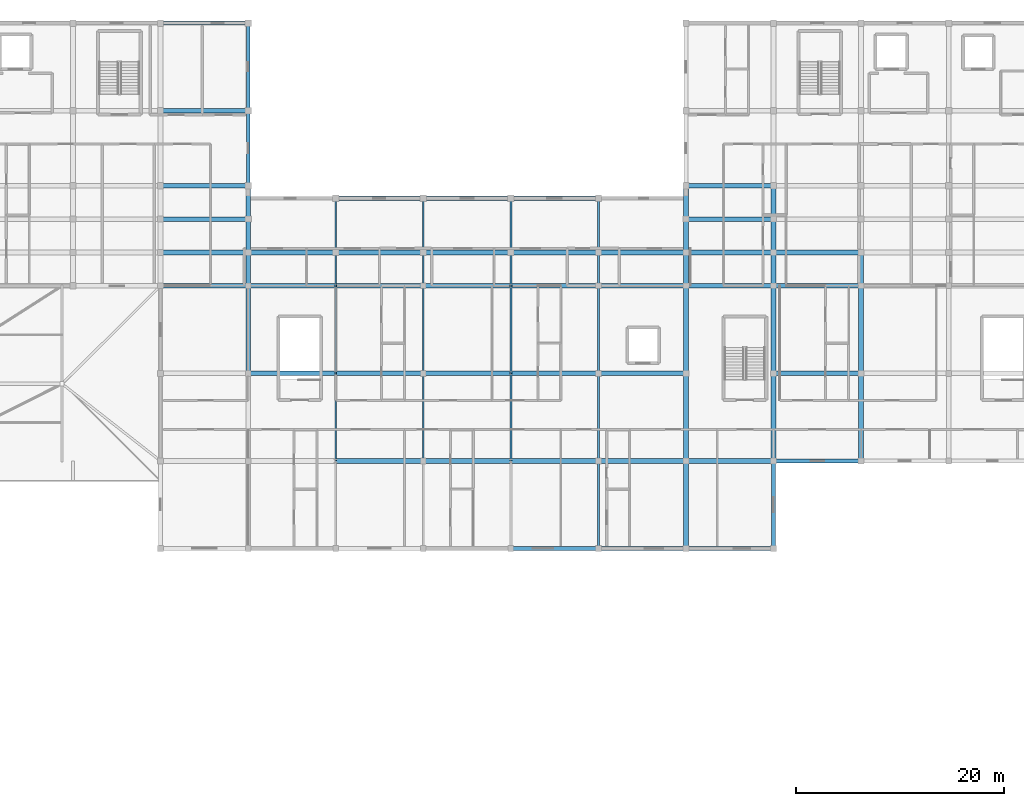
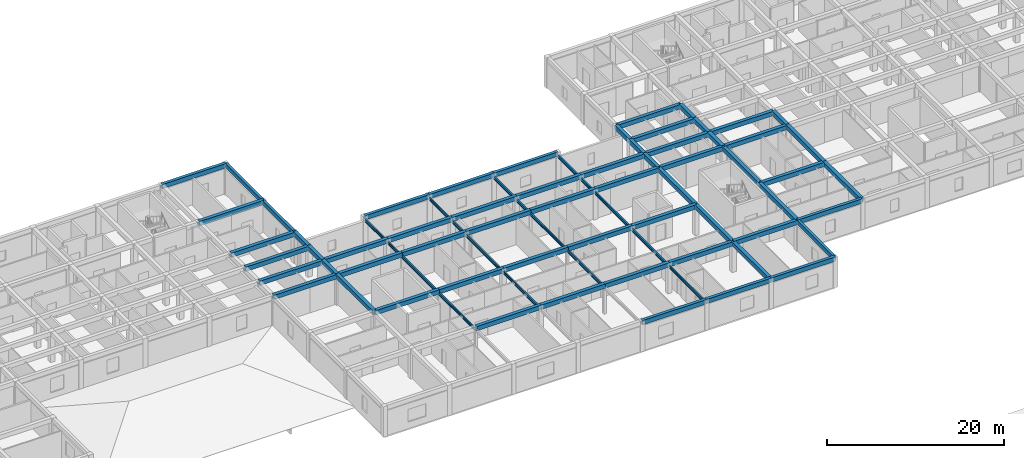
# One storey, part 8 of 42: 78 beams.
"""IFC4 building model written with IfcOpenShell, lengths in metres."""

from ifc_helpers import new_model, si_unit, direction, frame, origin, origin_2d, place, context, subcontext, project, spatial, rectangle, i_section, extrude, material, material_profile, profile_set, type_object, element, save


model = new_model("IFC4")

# Units and contexts
model_context = context("Model", 3, precision=1e-05, world=origin(), true_north=direction((0.0, 1.0)))
body_context = subcontext(model_context, "Body", "Model", "MODEL_VIEW")
ifc_project = project(units=[si_unit("LENGTHUNIT", "METRE"), si_unit("AREAUNIT", "SQUARE_METRE"), si_unit("VOLUMEUNIT", "CUBIC_METRE"), si_unit("PLANEANGLEUNIT", "RADIAN"), si_unit("MASSUNIT", "GRAM", prefix="KILO")], contexts=[model_context])

# Site, building, storey
site_placement = place(None, origin())
site = spatial("IfcSite", under=ifc_project, at=site_placement, CompositionType="ELEMENT")
building_placement = place(site_placement, origin())
building = spatial("IfcBuilding", under=site, at=building_placement, Name="Varncliffe General Hospital", CompositionType="ELEMENT")
storey_placement = place(building_placement, frame((0.0, 0.0, 20.39990234375)))
storey = spatial("IfcBuildingStorey", under=building, at=storey_placement, Name="L04", CompositionType="ELEMENT", Elevation=20.39990234375)

# Beams
ifc_material_1 = material(Name="Steel S355 (CSA G40.21 350W)", Category="steel")
ifc_material_profile_1 = material_profile(ifc_material_1, i_section(OverallWidth=0.179931640625, OverallDepth=0.4130859375, WebThickness=0.009765625, FlangeThickness=0.01611328125, FilletRadius=0.011962890625, at=origin_2d()), Name="W410x74")
ifc_profile_set_1 = profile_set([ifc_material_profile_1], Name="Steel S355 (CSA G40.21 350W)")
beam_type_1 = type_object("IfcBeamType", Name="Beam B11 (Int W410x74)", PredefinedType="BEAM", material=ifc_profile_set_1)
beam_1_placement = place(storey_placement, frame((75.60009765625, 82.800048828125, 3.633544921875), z_axis=(0.0, 1.0, 0.0), x_axis=(-1.0, 0.0, 0.0)))
element("IfcBeam", 1, at=beam_1_placement, inside=storey, type_object=beam_type_1, Name="L04 Primary Beam B11-234", PredefinedType="BEAM", context=body_context, shape_type="SweptSolid", body=[
    extrude(i_section(OverallWidth=0.179931640625, OverallDepth=0.4130859375, WebThickness=0.009765625, FlangeThickness=0.01611328125, FilletRadius=0.011962890625, at=origin_2d()), origin(), (0.0, 0.0, 1.0), 8.39990234375),
])
beam_2_placement = place(storey_placement, frame((75.60009765625, 91.199951171875, 3.633544921875), z_axis=(0.0, 1.0, 0.0), x_axis=(-1.0, 0.0, 0.0)))
element("IfcBeam", 2, at=beam_2_placement, inside=storey, type_object=beam_type_1, Name="L04 Primary Beam B11-235", PredefinedType="BEAM", context=body_context, shape_type="SweptSolid", body=[
    extrude(i_section(OverallWidth=0.179931640625, OverallDepth=0.4130859375, WebThickness=0.009765625, FlangeThickness=0.01611328125, FilletRadius=0.011962890625, at=origin_2d()), origin(), (0.0, 0.0, 1.0), 8.400146484375),
])
beam_3_placement = place(storey_placement, frame((75.60009765625, 99.60009765625, 3.633544921875), z_axis=(0.0, 1.0, 0.0), x_axis=(-1.0, 0.0, 0.0)))
element("IfcBeam", 3, at=beam_3_placement, inside=storey, type_object=beam_type_1, Name="L04 Primary Beam B11-236", PredefinedType="BEAM", context=body_context, shape_type="SweptSolid", body=[
    extrude(i_section(OverallWidth=0.179931640625, OverallDepth=0.4130859375, WebThickness=0.009765625, FlangeThickness=0.01611328125, FilletRadius=0.011962890625, at=origin_2d()), origin(), (0.0, 0.0, 1.0), 3.199951171875),
])
beam_4_placement = place(storey_placement, frame((75.60009765625, 102.800048828125, 3.633544921875), z_axis=(0.0, 1.0, 0.0), x_axis=(-1.0, 0.0, 0.0)))
element("IfcBeam", 4, at=beam_4_placement, inside=storey, type_object=beam_type_1, Name="L04 Primary Beam B11-237", PredefinedType="BEAM", context=body_context, shape_type="SweptSolid", body=[
    extrude(i_section(OverallWidth=0.179931640625, OverallDepth=0.4130859375, WebThickness=0.009765625, FlangeThickness=0.01611328125, FilletRadius=0.011962890625, at=origin_2d()), origin(), (0.0, 0.0, 1.0), 5.199951171875),
])
beam_5_placement = place(storey_placement, frame((84.0, 82.800048828125, 3.633544921875), z_axis=(0.0, 1.0, 0.0), x_axis=(-1.0, 0.0, 0.0)))
element("IfcBeam", 5, at=beam_5_placement, inside=storey, type_object=beam_type_1, Name="L04 Primary Beam B11-239", PredefinedType="BEAM", context=body_context, shape_type="SweptSolid", body=[
    extrude(i_section(OverallWidth=0.179931640625, OverallDepth=0.4130859375, WebThickness=0.009765625, FlangeThickness=0.01611328125, FilletRadius=0.011962890625, at=origin_2d()), origin(), (0.0, 0.0, 1.0), 8.39990234375),
])
beam_6_placement = place(storey_placement, frame((84.0, 91.199951171875, 3.633544921875), z_axis=(0.0, 1.0, 0.0), x_axis=(-1.0, 0.0, 0.0)))
element("IfcBeam", 6, at=beam_6_placement, inside=storey, type_object=beam_type_1, Name="L04 Primary Beam B11-240", PredefinedType="BEAM", context=body_context, shape_type="SweptSolid", body=[
    extrude(i_section(OverallWidth=0.179931640625, OverallDepth=0.4130859375, WebThickness=0.009765625, FlangeThickness=0.01611328125, FilletRadius=0.011962890625, at=origin_2d()), origin(), (0.0, 0.0, 1.0), 8.400146484375),
])
beam_7_placement = place(storey_placement, frame((84.0, 99.60009765625, 3.633544921875), z_axis=(0.0, 1.0, 0.0), x_axis=(-1.0, 0.0, 0.0)))
element("IfcBeam", 7, at=beam_7_placement, inside=storey, type_object=beam_type_1, Name="L04 Primary Beam B11-241", PredefinedType="BEAM", context=body_context, shape_type="SweptSolid", body=[
    extrude(i_section(OverallWidth=0.179931640625, OverallDepth=0.4130859375, WebThickness=0.009765625, FlangeThickness=0.01611328125, FilletRadius=0.011962890625, at=origin_2d()), origin(), (0.0, 0.0, 1.0), 3.199951171875),
])
beam_8_placement = place(storey_placement, frame((84.0, 102.800048828125, 3.633544921875), z_axis=(0.0, 1.0, 0.0), x_axis=(-1.0, 0.0, 0.0)))
element("IfcBeam", 8, at=beam_8_placement, inside=storey, type_object=beam_type_1, Name="L04 Primary Beam B11-242", PredefinedType="BEAM", context=body_context, shape_type="SweptSolid", body=[
    extrude(i_section(OverallWidth=0.179931640625, OverallDepth=0.4130859375, WebThickness=0.009765625, FlangeThickness=0.01611328125, FilletRadius=0.011962890625, at=origin_2d()), origin(), (0.0, 0.0, 1.0), 5.199951171875),
])
beam_9_placement = place(storey_placement, frame((92.39990234375, 82.800048828125, 3.633544921875), z_axis=(0.0, 1.0, 0.0), x_axis=(-1.0, 0.0, 0.0)))
element("IfcBeam", 9, at=beam_9_placement, inside=storey, type_object=beam_type_1, Name="L04 Primary Beam B11-244", PredefinedType="BEAM", context=body_context, shape_type="SweptSolid", body=[
    extrude(i_section(OverallWidth=0.179931640625, OverallDepth=0.4130859375, WebThickness=0.009765625, FlangeThickness=0.01611328125, FilletRadius=0.011962890625, at=origin_2d()), origin(), (0.0, 0.0, 1.0), 8.39990234375),
])
beam_10_placement = place(storey_placement, frame((92.39990234375, 91.199951171875, 3.633544921875), z_axis=(0.0, 1.0, 0.0), x_axis=(-1.0, 0.0, 0.0)))
element("IfcBeam", 10, at=beam_10_placement, inside=storey, type_object=beam_type_1, Name="L04 Primary Beam B11-245", PredefinedType="BEAM", context=body_context, shape_type="SweptSolid", body=[
    extrude(i_section(OverallWidth=0.179931640625, OverallDepth=0.4130859375, WebThickness=0.009765625, FlangeThickness=0.01611328125, FilletRadius=0.011962890625, at=origin_2d()), origin(), (0.0, 0.0, 1.0), 8.400146484375),
])
beam_11_placement = place(storey_placement, frame((92.39990234375, 99.60009765625, 3.633544921875), z_axis=(0.0, 1.0, 0.0), x_axis=(-1.0, 0.0, 0.0)))
element("IfcBeam", 11, at=beam_11_placement, inside=storey, type_object=beam_type_1, Name="L04 Primary Beam B11-246", PredefinedType="BEAM", context=body_context, shape_type="SweptSolid", body=[
    extrude(i_section(OverallWidth=0.179931640625, OverallDepth=0.4130859375, WebThickness=0.009765625, FlangeThickness=0.01611328125, FilletRadius=0.011962890625, at=origin_2d()), origin(), (0.0, 0.0, 1.0), 3.199951171875),
])
beam_12_placement = place(storey_placement, frame((92.39990234375, 102.800048828125, 3.633544921875), z_axis=(0.0, 1.0, 0.0), x_axis=(-1.0, 0.0, 0.0)))
element("IfcBeam", 12, at=beam_12_placement, inside=storey, type_object=beam_type_1, Name="L04 Primary Beam B11-247", PredefinedType="BEAM", context=body_context, shape_type="SweptSolid", body=[
    extrude(i_section(OverallWidth=0.179931640625, OverallDepth=0.4130859375, WebThickness=0.009765625, FlangeThickness=0.01611328125, FilletRadius=0.011962890625, at=origin_2d()), origin(), (0.0, 0.0, 1.0), 5.199951171875),
])
beam_13_placement = place(storey_placement, frame((100.800048828125, 74.39990234375, 3.633544921875), z_axis=(0.0, 1.0, 0.0), x_axis=(-1.0, 0.0, 0.0)))
element("IfcBeam", 13, at=beam_13_placement, inside=storey, type_object=beam_type_1, Name="L04 Primary Beam B11-248", PredefinedType="BEAM", context=body_context, shape_type="SweptSolid", body=[
    extrude(i_section(OverallWidth=0.179931640625, OverallDepth=0.4130859375, WebThickness=0.009765625, FlangeThickness=0.01611328125, FilletRadius=0.011962890625, at=origin_2d()), origin(), (0.0, 0.0, 1.0), 8.400146484375),
])
beam_14_placement = place(storey_placement, frame((100.800048828125, 82.800048828125, 3.633544921875), z_axis=(0.0, 1.0, 0.0), x_axis=(-1.0, 0.0, 0.0)))
element("IfcBeam", 14, at=beam_14_placement, inside=storey, type_object=beam_type_1, Name="L04 Primary Beam B11-249", PredefinedType="BEAM", context=body_context, shape_type="SweptSolid", body=[
    extrude(i_section(OverallWidth=0.179931640625, OverallDepth=0.4130859375, WebThickness=0.009765625, FlangeThickness=0.01611328125, FilletRadius=0.011962890625, at=origin_2d()), origin(), (0.0, 0.0, 1.0), 8.39990234375),
])
beam_15_placement = place(storey_placement, frame((100.800048828125, 91.199951171875, 3.633544921875), z_axis=(0.0, 1.0, 0.0), x_axis=(-1.0, 0.0, 0.0)))
element("IfcBeam", 15, at=beam_15_placement, inside=storey, type_object=beam_type_1, Name="L04 Primary Beam B11-250", PredefinedType="BEAM", context=body_context, shape_type="SweptSolid", body=[
    extrude(i_section(OverallWidth=0.179931640625, OverallDepth=0.4130859375, WebThickness=0.009765625, FlangeThickness=0.01611328125, FilletRadius=0.011962890625, at=origin_2d()), origin(), (0.0, 0.0, 1.0), 8.400146484375),
])
beam_16_placement = place(storey_placement, frame((100.800048828125, 99.60009765625, 3.633544921875), z_axis=(0.0, 1.0, 0.0), x_axis=(-1.0, 0.0, 0.0)))
element("IfcBeam", 16, at=beam_16_placement, inside=storey, type_object=beam_type_1, Name="L04 Primary Beam B11-251", PredefinedType="BEAM", context=body_context, shape_type="SweptSolid", body=[
    extrude(i_section(OverallWidth=0.179931640625, OverallDepth=0.4130859375, WebThickness=0.009765625, FlangeThickness=0.01611328125, FilletRadius=0.011962890625, at=origin_2d()), origin(), (0.0, 0.0, 1.0), 3.199951171875),
])
beam_17_placement = place(storey_placement, frame((100.800048828125, 102.800048828125, 3.633544921875), z_axis=(0.0, 1.0, 0.0), x_axis=(-1.0, 0.0, 0.0)))
element("IfcBeam", 17, at=beam_17_placement, inside=storey, type_object=beam_type_1, Name="L04 Primary Beam B11-252", PredefinedType="BEAM", context=body_context, shape_type="SweptSolid", body=[
    extrude(i_section(OverallWidth=0.179931640625, OverallDepth=0.4130859375, WebThickness=0.009765625, FlangeThickness=0.01611328125, FilletRadius=0.011962890625, at=origin_2d()), origin(), (0.0, 0.0, 1.0), 5.199951171875),
])
ifc_material_2 = material(Name="Concrete C35/45 (CSA A23.1 35 MPa)", Category="concrete")
ifc_material_profile_2 = material_profile(ifc_material_2, rectangle(XDim=0.449951171875, YDim=0.60009765625, at=origin_2d()), Name="RC 450x600")
ifc_profile_set_2 = profile_set([ifc_material_profile_2], Name="Concrete C35/45 (CSA A23.1 35 MPa)")
beam_type_2 = type_object("IfcBeamType", Name="Beam B47 (Int RC 450x600)", PredefinedType="BEAM", material=ifc_profile_set_2)
for number, where, z_axis, x_axis, name in (
    (18, (75.60009765625, 82.800048828125, 3.900146484375), (1.0, 0.0, 0.0), (0.0, 1.0, 0.0), "L04 Primary Beam B47-37"),
    (19, (84.0, 82.800048828125, 3.900146484375), (1.0, 0.0, 0.0), (0.0, 1.0, 0.0), "L04 Primary Beam B47-38"),
):
    element("IfcBeam", number, at=place(storey_placement, frame(where, z_axis=z_axis, x_axis=x_axis)), inside=storey, type_object=beam_type_2, Name=name, PredefinedType="BEAM", context=body_context, shape_type="SweptSolid", body=[
        extrude(rectangle(XDim=0.449951171875, YDim=0.60009765625, at=origin_2d()), origin(), (0.0, 0.0, 1.0), 8.39990234375),
    ])
beam_18_placement = place(storey_placement, frame((92.39990234375, 82.800048828125, 3.900146484375), z_axis=(1.0, 0.0, 0.0), x_axis=(0.0, 1.0, 0.0)))
element("IfcBeam", 20, at=beam_18_placement, inside=storey, type_object=beam_type_2, Name="L04 Primary Beam B47-39", PredefinedType="BEAM", context=body_context, shape_type="SweptSolid", body=[
    extrude(rectangle(XDim=0.449951171875, YDim=0.60009765625, at=origin_2d()), origin(), (0.0, 0.0, 1.0), 8.400146484375),
])
beam_19_placement = place(storey_placement, frame((100.800048828125, 82.800048828125, 3.900146484375), z_axis=(1.0, 0.0, 0.0), x_axis=(0.0, 1.0, 0.0)))
element("IfcBeam", 21, at=beam_19_placement, inside=storey, type_object=beam_type_2, Name="L04 Primary Beam B47-40", PredefinedType="BEAM", context=body_context, shape_type="SweptSolid", body=[
    extrude(rectangle(XDim=0.449951171875, YDim=0.60009765625, at=origin_2d()), origin(), (0.0, 0.0, 1.0), 8.39990234375),
])
for number, where, z_axis, x_axis, name in (
    (22, (109.199951171875, 82.800048828125, 3.900146484375), (1.0, 0.0, 0.0), (0.0, 1.0, 0.0), "L04 Primary Beam B47-41"),
    (23, (67.199951171875, 91.199951171875, 3.900146484375), (1.0, 0.0, 0.0), (0.0, 1.0, 0.0), "L04 Primary Beam B47-53"),
):
    element("IfcBeam", number, at=place(storey_placement, frame(where, z_axis=z_axis, x_axis=x_axis)), inside=storey, type_object=beam_type_2, Name=name, PredefinedType="BEAM", context=body_context, shape_type="SweptSolid", body=[
        extrude(rectangle(XDim=0.449951171875, YDim=0.60009765625, at=origin_2d()), origin(), (0.0, 0.0, 1.0), 8.400146484375),
    ])
for number, where, z_axis, x_axis, name in (
    (24, (75.60009765625, 91.199951171875, 3.900146484375), (1.0, 0.0, 0.0), (0.0, 1.0, 0.0), "L04 Primary Beam B47-54"),
    (25, (84.0, 91.199951171875, 3.900146484375), (1.0, 0.0, 0.0), (0.0, 1.0, 0.0), "L04 Primary Beam B47-55"),
):
    element("IfcBeam", number, at=place(storey_placement, frame(where, z_axis=z_axis, x_axis=x_axis)), inside=storey, type_object=beam_type_2, Name=name, PredefinedType="BEAM", context=body_context, shape_type="SweptSolid", body=[
        extrude(rectangle(XDim=0.449951171875, YDim=0.60009765625, at=origin_2d()), origin(), (0.0, 0.0, 1.0), 8.39990234375),
    ])
beam_20_placement = place(storey_placement, frame((92.39990234375, 91.199951171875, 3.900146484375), z_axis=(1.0, 0.0, 0.0), x_axis=(0.0, 1.0, 0.0)))
element("IfcBeam", 26, at=beam_20_placement, inside=storey, type_object=beam_type_2, Name="L04 Primary Beam B47-56", PredefinedType="BEAM", context=body_context, shape_type="SweptSolid", body=[
    extrude(rectangle(XDim=0.449951171875, YDim=0.60009765625, at=origin_2d()), origin(), (0.0, 0.0, 1.0), 8.400146484375),
])
for number, where, z_axis, x_axis, name in (
    (27, (100.800048828125, 91.199951171875, 3.900146484375), (1.0, 0.0, 0.0), (0.0, 1.0, 0.0), "L04 Primary Beam B47-57"),
    (28, (117.60009765625, 91.199951171875, 3.900146484375), (1.0, 0.0, 0.0), (0.0, 1.0, 0.0), "L04 Primary Beam B47-58"),
    (29, (58.800048828125, 99.60009765625, 3.900146484375), (1.0, 0.0, 0.0), (0.0, 1.0, 0.0), "L04 Primary Beam B47-72"),
):
    element("IfcBeam", number, at=place(storey_placement, frame(where, z_axis=z_axis, x_axis=x_axis)), inside=storey, type_object=beam_type_2, Name=name, PredefinedType="BEAM", context=body_context, shape_type="SweptSolid", body=[
        extrude(rectangle(XDim=0.449951171875, YDim=0.60009765625, at=origin_2d()), origin(), (0.0, 0.0, 1.0), 8.39990234375),
    ])
beam_21_placement = place(storey_placement, frame((67.199951171875, 99.60009765625, 3.900146484375), z_axis=(1.0, 0.0, 0.0), x_axis=(0.0, 1.0, 0.0)))
element("IfcBeam", 30, at=beam_21_placement, inside=storey, type_object=beam_type_2, Name="L04 Primary Beam B47-73", PredefinedType="BEAM", context=body_context, shape_type="SweptSolid", body=[
    extrude(rectangle(XDim=0.449951171875, YDim=0.60009765625, at=origin_2d()), origin(), (0.0, 0.0, 1.0), 8.400146484375),
])
for number, where, z_axis, x_axis, name in (
    (31, (75.60009765625, 99.60009765625, 3.900146484375), (1.0, 0.0, 0.0), (0.0, 1.0, 0.0), "L04 Primary Beam B47-74"),
    (32, (84.0, 99.60009765625, 3.900146484375), (1.0, 0.0, 0.0), (0.0, 1.0, 0.0), "L04 Primary Beam B47-75"),
):
    element("IfcBeam", number, at=place(storey_placement, frame(where, z_axis=z_axis, x_axis=x_axis)), inside=storey, type_object=beam_type_2, Name=name, PredefinedType="BEAM", context=body_context, shape_type="SweptSolid", body=[
        extrude(rectangle(XDim=0.449951171875, YDim=0.60009765625, at=origin_2d()), origin(), (0.0, 0.0, 1.0), 8.39990234375),
    ])
beam_22_placement = place(storey_placement, frame((92.39990234375, 99.60009765625, 3.900146484375), z_axis=(1.0, 0.0, 0.0), x_axis=(0.0, 1.0, 0.0)))
element("IfcBeam", 33, at=beam_22_placement, inside=storey, type_object=beam_type_2, Name="L04 Primary Beam B47-76", PredefinedType="BEAM", context=body_context, shape_type="SweptSolid", body=[
    extrude(rectangle(XDim=0.449951171875, YDim=0.60009765625, at=origin_2d()), origin(), (0.0, 0.0, 1.0), 8.400146484375),
])
beam_23_placement = place(storey_placement, frame((100.800048828125, 99.60009765625, 3.900146484375), z_axis=(1.0, 0.0, 0.0), x_axis=(0.0, 1.0, 0.0)))
element("IfcBeam", 34, at=beam_23_placement, inside=storey, type_object=beam_type_2, Name="L04 Primary Beam B47-77", PredefinedType="BEAM", context=body_context, shape_type="SweptSolid", body=[
    extrude(rectangle(XDim=0.449951171875, YDim=0.60009765625, at=origin_2d()), origin(), (0.0, 0.0, 1.0), 8.39990234375),
])
beam_24_placement = place(storey_placement, frame((109.199951171875, 99.60009765625, 3.900146484375), z_axis=(1.0, 0.0, 0.0), x_axis=(0.0, 1.0, 0.0)))
element("IfcBeam", 35, at=beam_24_placement, inside=storey, type_object=beam_type_2, Name="L04 Primary Beam B47-78", PredefinedType="BEAM", context=body_context, shape_type="SweptSolid", body=[
    extrude(rectangle(XDim=0.449951171875, YDim=0.60009765625, at=origin_2d()), origin(), (0.0, 0.0, 1.0), 8.400146484375),
])
for number, where, z_axis, x_axis, name in (
    (36, (117.60009765625, 99.60009765625, 3.900146484375), (1.0, 0.0, 0.0), (0.0, 1.0, 0.0), "L04 Primary Beam B47-79"),
    (37, (58.800048828125, 102.800048828125, 3.900146484375), (1.0, 0.0, 0.0), (0.0, 1.0, 0.0), "L04 Primary Beam B47-93"),
):
    element("IfcBeam", number, at=place(storey_placement, frame(where, z_axis=z_axis, x_axis=x_axis)), inside=storey, type_object=beam_type_2, Name=name, PredefinedType="BEAM", context=body_context, shape_type="SweptSolid", body=[
        extrude(rectangle(XDim=0.449951171875, YDim=0.60009765625, at=origin_2d()), origin(), (0.0, 0.0, 1.0), 8.39990234375),
    ])
beam_25_placement = place(storey_placement, frame((67.199951171875, 102.800048828125, 3.900146484375), z_axis=(1.0, 0.0, 0.0), x_axis=(0.0, 1.0, 0.0)))
element("IfcBeam", 38, at=beam_25_placement, inside=storey, type_object=beam_type_2, Name="L04 Primary Beam B47-94", PredefinedType="BEAM", context=body_context, shape_type="SweptSolid", body=[
    extrude(rectangle(XDim=0.449951171875, YDim=0.60009765625, at=origin_2d()), origin(), (0.0, 0.0, 1.0), 8.400146484375),
])
for number, where, z_axis, x_axis, name in (
    (39, (75.60009765625, 102.800048828125, 3.900146484375), (1.0, 0.0, 0.0), (0.0, 1.0, 0.0), "L04 Primary Beam B47-95"),
    (40, (84.0, 102.800048828125, 3.900146484375), (1.0, 0.0, 0.0), (0.0, 1.0, 0.0), "L04 Primary Beam B47-96"),
):
    element("IfcBeam", number, at=place(storey_placement, frame(where, z_axis=z_axis, x_axis=x_axis)), inside=storey, type_object=beam_type_2, Name=name, PredefinedType="BEAM", context=body_context, shape_type="SweptSolid", body=[
        extrude(rectangle(XDim=0.449951171875, YDim=0.60009765625, at=origin_2d()), origin(), (0.0, 0.0, 1.0), 8.39990234375),
    ])
beam_26_placement = place(storey_placement, frame((92.39990234375, 102.800048828125, 3.900146484375), z_axis=(1.0, 0.0, 0.0), x_axis=(0.0, 1.0, 0.0)))
element("IfcBeam", 41, at=beam_26_placement, inside=storey, type_object=beam_type_2, Name="L04 Primary Beam B47-97", PredefinedType="BEAM", context=body_context, shape_type="SweptSolid", body=[
    extrude(rectangle(XDim=0.449951171875, YDim=0.60009765625, at=origin_2d()), origin(), (0.0, 0.0, 1.0), 8.400146484375),
])
beam_27_placement = place(storey_placement, frame((100.800048828125, 102.800048828125, 3.900146484375), z_axis=(1.0, 0.0, 0.0), x_axis=(0.0, 1.0, 0.0)))
element("IfcBeam", 42, at=beam_27_placement, inside=storey, type_object=beam_type_2, Name="L04 Primary Beam B47-98", PredefinedType="BEAM", context=body_context, shape_type="SweptSolid", body=[
    extrude(rectangle(XDim=0.449951171875, YDim=0.60009765625, at=origin_2d()), origin(), (0.0, 0.0, 1.0), 8.39990234375),
])
beam_28_placement = place(storey_placement, frame((109.199951171875, 102.800048828125, 3.900146484375), z_axis=(1.0, 0.0, 0.0), x_axis=(0.0, 1.0, 0.0)))
element("IfcBeam", 43, at=beam_28_placement, inside=storey, type_object=beam_type_2, Name="L04 Primary Beam B47-99", PredefinedType="BEAM", context=body_context, shape_type="SweptSolid", body=[
    extrude(rectangle(XDim=0.449951171875, YDim=0.60009765625, at=origin_2d()), origin(), (0.0, 0.0, 1.0), 8.400146484375),
])
for number, where, z_axis, x_axis, name in (
    (44, (117.60009765625, 102.800048828125, 3.900146484375), (1.0, 0.0, 0.0), (0.0, 1.0, 0.0), "L04 Primary Beam B47-100"),
    (45, (58.800048828125, 106.0, 3.900146484375), (1.0, 0.0, 0.0), (0.0, 1.0, 0.0), "L04 Primary Beam B47-114"),
):
    element("IfcBeam", number, at=place(storey_placement, frame(where, z_axis=z_axis, x_axis=x_axis)), inside=storey, type_object=beam_type_2, Name=name, PredefinedType="BEAM", context=body_context, shape_type="SweptSolid", body=[
        extrude(rectangle(XDim=0.449951171875, YDim=0.60009765625, at=origin_2d()), origin(), (0.0, 0.0, 1.0), 8.39990234375),
    ])
beam_29_placement = place(storey_placement, frame((109.199951171875, 106.0, 3.900146484375), z_axis=(1.0, 0.0, 0.0), x_axis=(0.0, 1.0, 0.0)))
element("IfcBeam", 46, at=beam_29_placement, inside=storey, type_object=beam_type_2, Name="L04 Primary Beam B47-115", PredefinedType="BEAM", context=body_context, shape_type="SweptSolid", body=[
    extrude(rectangle(XDim=0.449951171875, YDim=0.60009765625, at=origin_2d()), origin(), (0.0, 0.0, 1.0), 8.400146484375),
])
beam_30_placement = place(storey_placement, frame((58.800048828125, 109.199951171875, 3.900146484375), z_axis=(1.0, 0.0, 0.0), x_axis=(0.0, 1.0, 0.0)))
element("IfcBeam", 47, at=beam_30_placement, inside=storey, type_object=beam_type_2, Name="L04 Primary Beam B47-133", PredefinedType="BEAM", context=body_context, shape_type="SweptSolid", body=[
    extrude(rectangle(XDim=0.449951171875, YDim=0.60009765625, at=origin_2d()), origin(), (0.0, 0.0, 1.0), 8.39990234375),
])
beam_31_placement = place(storey_placement, frame((109.199951171875, 109.199951171875, 3.900146484375), z_axis=(1.0, 0.0, 0.0), x_axis=(0.0, 1.0, 0.0)))
element("IfcBeam", 48, at=beam_31_placement, inside=storey, type_object=beam_type_2, Name="L04 Primary Beam B47-134", PredefinedType="BEAM", context=body_context, shape_type="SweptSolid", body=[
    extrude(rectangle(XDim=0.449951171875, YDim=0.60009765625, at=origin_2d()), origin(), (0.0, 0.0, 1.0), 8.400146484375),
])
beam_32_placement = place(storey_placement, frame((58.800048828125, 116.39990234375, 3.900146484375), z_axis=(1.0, 0.0, 0.0), x_axis=(0.0, 1.0, 0.0)))
element("IfcBeam", 49, at=beam_32_placement, inside=storey, type_object=beam_type_2, Name="L04 Primary Beam B47-149", PredefinedType="BEAM", context=body_context, shape_type="SweptSolid", body=[
    extrude(rectangle(XDim=0.449951171875, YDim=0.60009765625, at=origin_2d()), origin(), (0.0, 0.0, 1.0), 8.39990234375),
])
beam_33_placement = place(storey_placement, frame((67.199951171875, 91.199951171875, 3.900146484375), z_axis=(0.0, 1.0, 0.0), x_axis=(-1.0, 0.0, 0.0)))
element("IfcBeam", 50, at=beam_33_placement, inside=storey, type_object=beam_type_2, Name="L04 Primary Beam B47-227", PredefinedType="BEAM", context=body_context, shape_type="SweptSolid", body=[
    extrude(rectangle(XDim=0.449951171875, YDim=0.60009765625, at=origin_2d()), origin(), (0.0, 0.0, 1.0), 8.400146484375),
])
for number, where, z_axis, x_axis, name in (
    (51, (67.199951171875, 99.60009765625, 3.900146484375), (0.0, 1.0, 0.0), (-1.0, 0.0, 0.0), "L04 Primary Beam B47-228"),
    (52, (67.199951171875, 102.800048828125, 3.900146484375), (0.0, 1.0, 0.0), (-1.0, 0.0, 0.0), "L04 Primary Beam B47-229"),
    (53, (67.199951171875, 106.0, 3.900146484375), (0.0, 1.0, 0.0), (-1.0, 0.0, 0.0), "L04 Primary Beam B47-230"),
):
    element("IfcBeam", number, at=place(storey_placement, frame(where, z_axis=z_axis, x_axis=x_axis)), inside=storey, type_object=beam_type_2, Name=name, PredefinedType="BEAM", context=body_context, shape_type="SweptSolid", body=[
        extrude(rectangle(XDim=0.449951171875, YDim=0.60009765625, at=origin_2d()), origin(), (0.0, 0.0, 1.0), 3.199951171875),
    ])
beam_34_placement = place(storey_placement, frame((109.199951171875, 74.39990234375, 3.900146484375), z_axis=(0.0, 1.0, 0.0), x_axis=(-1.0, 0.0, 0.0)))
element("IfcBeam", 54, at=beam_34_placement, inside=storey, type_object=beam_type_2, Name="L04 Primary Beam B47-253", PredefinedType="BEAM", context=body_context, shape_type="SweptSolid", body=[
    extrude(rectangle(XDim=0.449951171875, YDim=0.60009765625, at=origin_2d()), origin(), (0.0, 0.0, 1.0), 8.400146484375),
])
beam_35_placement = place(storey_placement, frame((109.199951171875, 82.800048828125, 3.900146484375), z_axis=(0.0, 1.0, 0.0), x_axis=(-1.0, 0.0, 0.0)))
element("IfcBeam", 55, at=beam_35_placement, inside=storey, type_object=beam_type_2, Name="L04 Primary Beam B47-254", PredefinedType="BEAM", context=body_context, shape_type="SweptSolid", body=[
    extrude(rectangle(XDim=0.449951171875, YDim=0.60009765625, at=origin_2d()), origin(), (0.0, 0.0, 1.0), 8.39990234375),
])
beam_36_placement = place(storey_placement, frame((109.199951171875, 91.199951171875, 3.900146484375), z_axis=(0.0, 1.0, 0.0), x_axis=(-1.0, 0.0, 0.0)))
element("IfcBeam", 56, at=beam_36_placement, inside=storey, type_object=beam_type_2, Name="L04 Primary Beam B47-255", PredefinedType="BEAM", context=body_context, shape_type="SweptSolid", body=[
    extrude(rectangle(XDim=0.449951171875, YDim=0.60009765625, at=origin_2d()), origin(), (0.0, 0.0, 1.0), 8.400146484375),
])
for number, where, z_axis, x_axis, name in (
    (57, (109.199951171875, 99.60009765625, 3.900146484375), (0.0, 1.0, 0.0), (-1.0, 0.0, 0.0), "L04 Primary Beam B47-256"),
    (58, (109.199951171875, 102.800048828125, 3.900146484375), (0.0, 1.0, 0.0), (-1.0, 0.0, 0.0), "L04 Primary Beam B47-257"),
    (59, (109.199951171875, 106.0, 3.900146484375), (0.0, 1.0, 0.0), (-1.0, 0.0, 0.0), "L04 Primary Beam B47-258"),
):
    element("IfcBeam", number, at=place(storey_placement, frame(where, z_axis=z_axis, x_axis=x_axis)), inside=storey, type_object=beam_type_2, Name=name, PredefinedType="BEAM", context=body_context, shape_type="SweptSolid", body=[
        extrude(rectangle(XDim=0.449951171875, YDim=0.60009765625, at=origin_2d()), origin(), (0.0, 0.0, 1.0), 3.199951171875),
    ])
beam_37_placement = place(storey_placement, frame((117.60009765625, 82.800048828125, 3.900146484375), z_axis=(0.0, 1.0, 0.0), x_axis=(-1.0, 0.0, 0.0)))
element("IfcBeam", 60, at=beam_37_placement, inside=storey, type_object=beam_type_2, Name="L04 Primary Beam B47-262", PredefinedType="BEAM", context=body_context, shape_type="SweptSolid", body=[
    extrude(rectangle(XDim=0.449951171875, YDim=0.60009765625, at=origin_2d()), origin(), (0.0, 0.0, 1.0), 8.39990234375),
])
beam_38_placement = place(storey_placement, frame((117.60009765625, 91.199951171875, 3.900146484375), z_axis=(0.0, 1.0, 0.0), x_axis=(-1.0, 0.0, 0.0)))
element("IfcBeam", 61, at=beam_38_placement, inside=storey, type_object=beam_type_2, Name="L04 Primary Beam B47-263", PredefinedType="BEAM", context=body_context, shape_type="SweptSolid", body=[
    extrude(rectangle(XDim=0.449951171875, YDim=0.60009765625, at=origin_2d()), origin(), (0.0, 0.0, 1.0), 8.400146484375),
])
for number, where, z_axis, x_axis, name in (
    (62, (117.60009765625, 99.60009765625, 3.900146484375), (0.0, 1.0, 0.0), (-1.0, 0.0, 0.0), "L04 Primary Beam B47-264"),
    (63, (117.60009765625, 102.800048828125, 3.900146484375), (0.0, 1.0, 0.0), (-1.0, 0.0, 0.0), "L04 Primary Beam B47-265"),
    (64, (117.60009765625, 106.0, 3.900146484375), (0.0, 1.0, 0.0), (-1.0, 0.0, 0.0), "L04 Primary Beam B47-266"),
):
    element("IfcBeam", number, at=place(storey_placement, frame(where, z_axis=z_axis, x_axis=x_axis)), inside=storey, type_object=beam_type_2, Name=name, PredefinedType="BEAM", context=body_context, shape_type="SweptSolid", body=[
        extrude(rectangle(XDim=0.449951171875, YDim=0.60009765625, at=origin_2d()), origin(), (0.0, 0.0, 1.0), 3.199951171875),
    ])
beam_39_placement = place(storey_placement, frame((126.0, 82.800048828125, 3.900146484375), z_axis=(0.0, 1.0, 0.0), x_axis=(-1.0, 0.0, 0.0)))
element("IfcBeam", 65, at=beam_39_placement, inside=storey, type_object=beam_type_2, Name="L04 Primary Beam B47-269", PredefinedType="BEAM", context=body_context, shape_type="SweptSolid", body=[
    extrude(rectangle(XDim=0.449951171875, YDim=0.60009765625, at=origin_2d()), origin(), (0.0, 0.0, 1.0), 8.39990234375),
])
beam_40_placement = place(storey_placement, frame((126.0, 91.199951171875, 3.900146484375), z_axis=(0.0, 1.0, 0.0), x_axis=(-1.0, 0.0, 0.0)))
element("IfcBeam", 66, at=beam_40_placement, inside=storey, type_object=beam_type_2, Name="L04 Primary Beam B47-270", PredefinedType="BEAM", context=body_context, shape_type="SweptSolid", body=[
    extrude(rectangle(XDim=0.449951171875, YDim=0.60009765625, at=origin_2d()), origin(), (0.0, 0.0, 1.0), 8.400146484375),
])
beam_41_placement = place(storey_placement, frame((126.0, 99.60009765625, 3.900146484375), z_axis=(0.0, 1.0, 0.0), x_axis=(-1.0, 0.0, 0.0)))
element("IfcBeam", 67, at=beam_41_placement, inside=storey, type_object=beam_type_2, Name="L04 Primary Beam B47-271", PredefinedType="BEAM", context=body_context, shape_type="SweptSolid", body=[
    extrude(rectangle(XDim=0.449951171875, YDim=0.60009765625, at=origin_2d()), origin(), (0.0, 0.0, 1.0), 3.199951171875),
])
ifc_material_profile_3 = material_profile(ifc_material_2, rectangle(XDim=0.35009765625, YDim=0.550048828125, at=origin_2d()), Name="RC 350x550")
ifc_profile_set_3 = profile_set([ifc_material_profile_3], Name="Concrete C35/45 (CSA A23.1 35 MPa)")
beam_type_3 = type_object("IfcBeamType", Name="Spandrel SP20 (Ext RC 350x550)", PredefinedType="SPANDREL", material=ifc_profile_set_3)
beam_42_placement = place(storey_placement, frame((67.199951171875, 109.199951171875, 3.925048828125), z_axis=(0.0, 1.0, 0.0), x_axis=(-1.0, 0.0, 0.0)))
element("IfcBeam", 68, at=beam_42_placement, inside=storey, type_object=beam_type_3, Name="L04 Spandrel Beam SP20-231", PredefinedType="SPANDREL", context=body_context, shape_type="SweptSolid", body=[
    extrude(rectangle(XDim=0.35009765625, YDim=0.550048828125, at=origin_2d()), origin(), (0.0, 0.0, 1.0), 7.199951171875),
])
for number, where, z_axis, x_axis, name in (
    (69, (67.199951171875, 116.39990234375, 3.925048828125), (0.0, 1.0, 0.0), (-1.0, 0.0, 0.0), "L04 Spandrel Beam SP20-232"),
    (70, (117.60009765625, 74.39990234375, 3.925048828125), (0.0, 1.0, 0.0), (-1.0, 0.0, 0.0), "L04 Spandrel Beam SP20-261"),
):
    element("IfcBeam", number, at=place(storey_placement, frame(where, z_axis=z_axis, x_axis=x_axis)), inside=storey, type_object=beam_type_3, Name=name, PredefinedType="SPANDREL", context=body_context, shape_type="SweptSolid", body=[
        extrude(rectangle(XDim=0.35009765625, YDim=0.550048828125, at=origin_2d()), origin(), (0.0, 0.0, 1.0), 8.400146484375),
    ])
ifc_material_profile_4 = material_profile(ifc_material_2, rectangle(XDim=0.39990234375, YDim=0.60009765625, at=origin_2d()), Name="RC 400x600")
ifc_profile_set_4 = profile_set([ifc_material_profile_4], Name="Concrete C35/45 (CSA A23.1 35 MPa)")
beam_type_4 = type_object("IfcBeamType", Name="Spandrel SP58 (Ext RC 400x600B)", PredefinedType="SPANDREL", material=ifc_profile_set_4)
beam_43_placement = place(storey_placement, frame((92.39990234375, 74.39990234375, 3.900146484375), z_axis=(1.0, 0.0, 0.0), x_axis=(0.0, 1.0, 0.0)))
element("IfcBeam", 71, at=beam_43_placement, inside=storey, type_object=beam_type_4, Name="L04 Spandrel Beam SP58-26", PredefinedType="SPANDREL", context=body_context, shape_type="SweptSolid", body=[
    extrude(rectangle(XDim=0.39990234375, YDim=0.60009765625, at=origin_2d()), origin(), (0.0, 0.0, 1.0), 8.400146484375),
])
beam_44_placement = place(storey_placement, frame((100.800048828125, 74.39990234375, 3.900146484375), z_axis=(1.0, 0.0, 0.0), x_axis=(0.0, 1.0, 0.0)))
element("IfcBeam", 72, at=beam_44_placement, inside=storey, type_object=beam_type_4, Name="L04 Spandrel Beam SP58-27", PredefinedType="SPANDREL", context=body_context, shape_type="SweptSolid", body=[
    extrude(rectangle(XDim=0.39990234375, YDim=0.60009765625, at=origin_2d()), origin(), (0.0, 0.0, 1.0), 8.39990234375),
])
beam_45_placement = place(storey_placement, frame((109.199951171875, 74.39990234375, 3.900146484375), z_axis=(1.0, 0.0, 0.0), x_axis=(0.0, 1.0, 0.0)))
element("IfcBeam", 73, at=beam_45_placement, inside=storey, type_object=beam_type_4, Name="L04 Spandrel Beam SP58-28", PredefinedType="SPANDREL", context=body_context, shape_type="SweptSolid", body=[
    extrude(rectangle(XDim=0.39990234375, YDim=0.60009765625, at=origin_2d()), origin(), (0.0, 0.0, 1.0), 8.400146484375),
])
for number, where, z_axis, x_axis, name in (
    (74, (117.60009765625, 82.800048828125, 3.900146484375), (1.0, 0.0, 0.0), (0.0, 1.0, 0.0), "L04 Spandrel Beam SP58-42"),
    (75, (75.60009765625, 108.0, 3.900146484375), (1.0, 0.0, 0.0), (0.0, 1.0, 0.0), "L04 Spandrel Beam SP58-123"),
    (76, (84.0, 108.0, 3.900146484375), (1.0, 0.0, 0.0), (0.0, 1.0, 0.0), "L04 Spandrel Beam SP58-124"),
):
    element("IfcBeam", number, at=place(storey_placement, frame(where, z_axis=z_axis, x_axis=x_axis)), inside=storey, type_object=beam_type_4, Name=name, PredefinedType="SPANDREL", context=body_context, shape_type="SweptSolid", body=[
        extrude(rectangle(XDim=0.39990234375, YDim=0.60009765625, at=origin_2d()), origin(), (0.0, 0.0, 1.0), 8.39990234375),
    ])
beam_46_placement = place(storey_placement, frame((92.39990234375, 108.0, 3.900146484375), z_axis=(1.0, 0.0, 0.0), x_axis=(0.0, 1.0, 0.0)))
element("IfcBeam", 77, at=beam_46_placement, inside=storey, type_object=beam_type_4, Name="L04 Spandrel Beam SP58-125", PredefinedType="SPANDREL", context=body_context, shape_type="SweptSolid", body=[
    extrude(rectangle(XDim=0.39990234375, YDim=0.60009765625, at=origin_2d()), origin(), (0.0, 0.0, 1.0), 8.400146484375),
])
beam_47_placement = place(storey_placement, frame((58.800048828125, 124.800048828125, 3.900146484375), z_axis=(1.0, 0.0, 0.0), x_axis=(0.0, 1.0, 0.0)))
element("IfcBeam", 78, at=beam_47_placement, inside=storey, type_object=beam_type_4, Name="L04 Spandrel Beam SP58-165", PredefinedType="SPANDREL", context=body_context, shape_type="SweptSolid", body=[
    extrude(rectangle(XDim=0.39990234375, YDim=0.60009765625, at=origin_2d()), origin(), (0.0, 0.0, 1.0), 8.39990234375),
])

save(model, "model.ifc")
